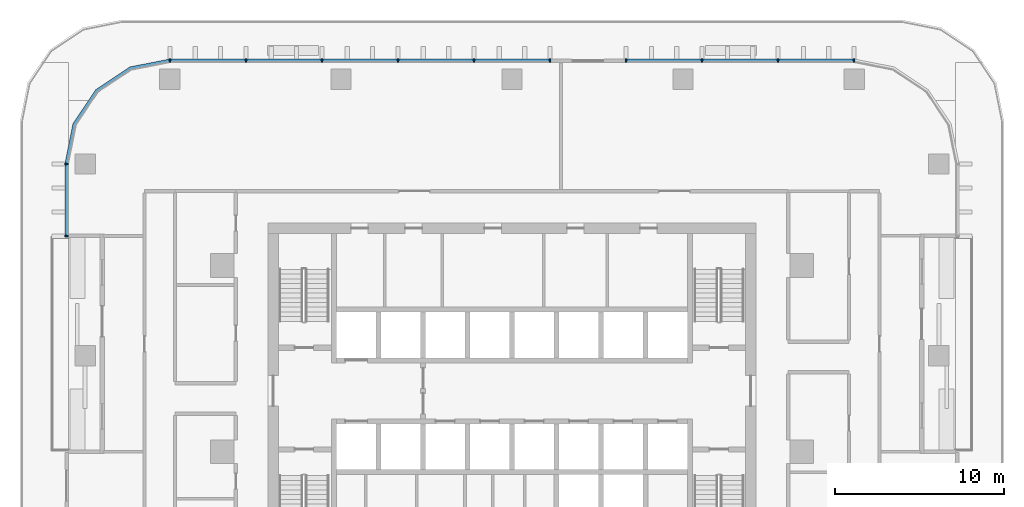
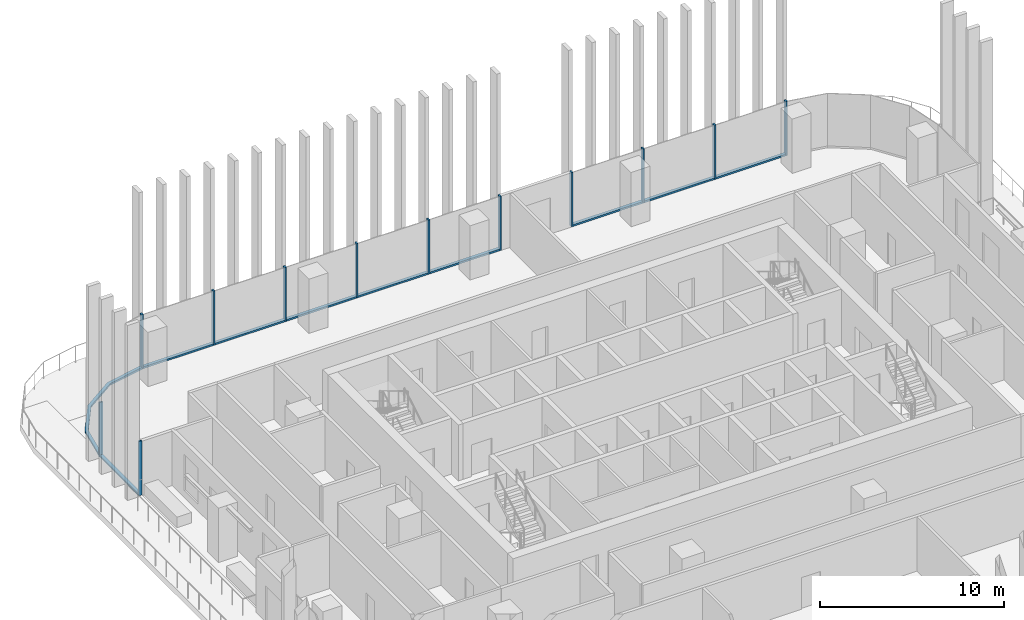
# One storey, part 4 of 16: 22 members, 4 elements without a shape of their own.
"""IFC4 building model written with IfcOpenShell, lengths in metres."""

from ifc_helpers import new_model, si_unit, direction, frame, origin, origin_2d, place, context, subcontext, project, spatial, polyline, rectangle, outline, extrude, material, material_profile, profile_set, type_object, element, aggregate, save


model = new_model("IFC4")

# Units and contexts
model_context = context("Model", 3, precision=1e-05, world=origin(), true_north=direction((0.0, 1.0)))
body_context = subcontext(model_context, "Body", "Model", "MODEL_VIEW")
ifc_project = project(units=[si_unit("LENGTHUNIT", "METRE"), si_unit("AREAUNIT", "SQUARE_METRE"), si_unit("VOLUMEUNIT", "CUBIC_METRE"), si_unit("PLANEANGLEUNIT", "RADIAN"), si_unit("MASSUNIT", "GRAM", prefix="KILO")], contexts=[model_context])

# Site, building, storey
site_placement = place(None, origin())
site = spatial("IfcSite", under=ifc_project, at=site_placement, CompositionType="ELEMENT")
building_placement = place(site_placement, origin())
building = spatial("IfcBuilding", under=site, at=building_placement, Name="Mopane Tessera Tower", CompositionType="ELEMENT")
storey_placement = place(building_placement, frame((0.0, 0.0, 157.0)))
storey = spatial("IfcBuildingStorey", under=building, at=storey_placement, Name="L31", CompositionType="ELEMENT", Elevation=157.0)

# Curtain wall, members
ifc_material_1 = material(Name="Aluminium frame", Category="aluminium")
curtain_wall_type = type_object("IfcCurtainWallType", Name="Unitised curtain wall", PredefinedType="NOTDEFINED", material=ifc_material_1)
curtain_wall_1_placement = place(storey_placement, origin())
curtain_wall_1 = element("IfcCurtainWall", 1, at=curtain_wall_1_placement, inside=storey, type_object=curtain_wall_type, Name="e:cw:L31:N:0", PredefinedType="NOTDEFINED")
ifc_material_2 = material(Name="Aluminium frame", Category="aluminium")
ifc_material_profile_1 = material_profile(ifc_material_2, rectangle(XDim=0.10009765625, YDim=0.199951171875, at=origin_2d()))
ifc_profile_set_1 = profile_set([ifc_material_profile_1], Name="Aluminium frame")
member_type_1 = type_object("IfcMemberType", Name="Aluminium mullion 100 x 200", PredefinedType="MULLION", material=ifc_profile_set_1)
member_1_placement = place(storey_placement, frame((20.199951171875, 23.10009765625, 0.0), z_axis=(0.0, 0.0, 1.0), x_axis=(-1.0, 0.0, 0.0)))
member_1 = element("IfcMember", 2, at=member_1_placement, type_object=member_type_1, Name="e:cw:L31:N:0:mu0", PredefinedType="MULLION", context=body_context, shape_type="SweptSolid", body=[
    extrude(rectangle(XDim=0.10009765625, YDim=0.199951171875, at=origin_2d()), origin(), (0.0, 0.0, 1.0), 3.60009765625),
])
member_2_placement = place(storey_placement, frame((15.711181640625, 23.10009765625, 0.0), z_axis=(0.0, 0.0, 1.0), x_axis=(-1.0, 0.0, 0.0)))
member_2 = element("IfcMember", 3, at=member_2_placement, type_object=member_type_1, Name="e:cw:L31:N:0:mu1", PredefinedType="MULLION", context=body_context, shape_type="SweptSolid", body=[
    extrude(rectangle(XDim=0.10009765625, YDim=0.199951171875, at=origin_2d()), origin(), (0.0, 0.0, 1.0), 3.60009765625),
])
member_3_placement = place(storey_placement, frame((11.22216796875, 23.10009765625, 0.0), z_axis=(0.0, 0.0, 1.0), x_axis=(-1.0, 0.0, 0.0)))
member_3 = element("IfcMember", 4, at=member_3_placement, type_object=member_type_1, Name="e:cw:L31:N:0:mu2", PredefinedType="MULLION", context=body_context, shape_type="SweptSolid", body=[
    extrude(rectangle(XDim=0.10009765625, YDim=0.199951171875, at=origin_2d()), origin(), (0.0, 0.0, 1.0), 3.60009765625),
])
member_4_placement = place(storey_placement, frame((6.7333984375, 23.10009765625, 0.0), z_axis=(0.0, 0.0, 1.0), x_axis=(-1.0, 0.0, 0.0)))
member_4 = element("IfcMember", 5, at=member_4_placement, type_object=member_type_1, Name="e:cw:L31:N:0:mu3", PredefinedType="MULLION", context=body_context, shape_type="SweptSolid", body=[
    extrude(rectangle(XDim=0.10009765625, YDim=0.199951171875, at=origin_2d()), origin(), (0.0, 0.0, 1.0), 3.60009765625),
])

curtain_wall_2_placement = place(storey_placement, origin())
curtain_wall_2 = element("IfcCurtainWall", 6, at=curtain_wall_2_placement, inside=storey, type_object=curtain_wall_type, Name="e:cw:L31:N:4", PredefinedType="NOTDEFINED")
member_5_placement = place(storey_placement, frame((2.244384765625, 23.10009765625, 0.0), z_axis=(0.0, 0.0, 1.0), x_axis=(-1.0, 0.0, 0.0)))
member_5 = element("IfcMember", 7, at=member_5_placement, type_object=member_type_1, Name="e:cw:L31:N:4:mu4", PredefinedType="MULLION", context=body_context, shape_type="SweptSolid", body=[
    extrude(rectangle(XDim=0.10009765625, YDim=0.199951171875, at=origin_2d()), origin(), (0.0, 0.0, 1.0), 3.60009765625),
])
member_6_placement = place(storey_placement, frame((-2.244384765625, 23.10009765625, 0.0), z_axis=(0.0, 0.0, 1.0), x_axis=(-1.0, 0.0, 0.0)))
member_6 = element("IfcMember", 8, at=member_6_placement, type_object=member_type_1, Name="e:cw:L31:N:4:mu5", PredefinedType="MULLION", context=body_context, shape_type="SweptSolid", body=[
    extrude(rectangle(XDim=0.10009765625, YDim=0.199951171875, at=origin_2d()), origin(), (0.0, 0.0, 1.0), 3.60009765625),
])
member_7_placement = place(storey_placement, frame((-6.7333984375, 23.10009765625, 0.0), z_axis=(0.0, 0.0, 1.0), x_axis=(-1.0, 0.0, 0.0)))
member_7 = element("IfcMember", 9, at=member_7_placement, type_object=member_type_1, Name="e:cw:L31:N:4:mu6", PredefinedType="MULLION", context=body_context, shape_type="SweptSolid", body=[
    extrude(rectangle(XDim=0.10009765625, YDim=0.199951171875, at=origin_2d()), origin(), (0.0, 0.0, 1.0), 3.60009765625),
])
member_8_placement = place(storey_placement, frame((-11.22216796875, 23.10009765625, 0.0), z_axis=(0.0, 0.0, 1.0), x_axis=(-1.0, 0.0, 0.0)))
member_8 = element("IfcMember", 10, at=member_8_placement, type_object=member_type_1, Name="e:cw:L31:N:4:mu7", PredefinedType="MULLION", context=body_context, shape_type="SweptSolid", body=[
    extrude(rectangle(XDim=0.10009765625, YDim=0.199951171875, at=origin_2d()), origin(), (0.0, 0.0, 1.0), 3.60009765625),
])
member_9_placement = place(storey_placement, frame((-15.711181640625, 23.10009765625, 0.0), z_axis=(0.0, 0.0, 1.0), x_axis=(-1.0, 0.0, 0.0)))
member_9 = element("IfcMember", 11, at=member_9_placement, type_object=member_type_1, Name="e:cw:L31:N:4:mu8", PredefinedType="MULLION", context=body_context, shape_type="SweptSolid", body=[
    extrude(rectangle(XDim=0.10009765625, YDim=0.199951171875, at=origin_2d()), origin(), (0.0, 0.0, 1.0), 3.60009765625),
])
member_10_placement = place(storey_placement, frame((-20.199951171875, 23.10009765625, 0.0), z_axis=(0.0, 0.0, 1.0), x_axis=(-1.0, 0.0, 0.0)))
member_10 = element("IfcMember", 12, at=member_10_placement, type_object=member_type_1, Name="e:cw:L31:N:4:mu9", PredefinedType="MULLION", context=body_context, shape_type="SweptSolid", body=[
    extrude(rectangle(XDim=0.10009765625, YDim=0.199951171875, at=origin_2d()), origin(), (0.0, 0.0, 1.0), 3.60009765625),
])

curtain_wall_3_placement = place(storey_placement, origin())
curtain_wall_3 = element("IfcCurtainWall", 13, at=curtain_wall_3_placement, inside=storey, type_object=curtain_wall_type, Name="e:cw:L31:W:0", PredefinedType="NOTDEFINED")
member_11_placement = place(storey_placement, frame((-26.300048828125, 17.0, 0.0), z_axis=(0.0, 0.0, 1.0), x_axis=(0.0, -1.0, 0.0)))
member_11 = element("IfcMember", 14, at=member_11_placement, type_object=member_type_1, Name="e:cw:L31:W:0:mu0", PredefinedType="MULLION", context=body_context, shape_type="SweptSolid", body=[
    extrude(rectangle(XDim=0.10009765625, YDim=0.199951171875, at=origin_2d()), origin(), (0.0, 0.0, 1.0), 3.60009765625),
])
member_12_placement = place(storey_placement, frame((-26.300048828125, 12.75, 0.0), z_axis=(0.0, 0.0, 1.0), x_axis=(0.0, -1.0, 0.0)))
member_12 = element("IfcMember", 15, at=member_12_placement, type_object=member_type_1, Name="e:cw:L31:W:0:mu1", PredefinedType="MULLION", context=body_context, shape_type="SweptSolid", body=[
    extrude(rectangle(XDim=0.10009765625, YDim=0.199951171875, at=origin_2d()), origin(), (0.0, 0.0, 1.0), 3.60009765625),
])

# Member
ifc_material_3 = material(Name="Aluminium frame", Category="aluminium")
ifc_material_profile_2 = material_profile(ifc_material_3, rectangle(XDim=0.199951171875, YDim=0.1201171875, at=origin_2d()))
ifc_profile_set_2 = profile_set([ifc_material_profile_2], Name="Aluminium frame")
member_type_2 = type_object("IfcMemberType", Name="Aluminium transom 200 x 120", PredefinedType="USERDEFINED", material=ifc_profile_set_2)
member_13_placement = place(storey_placement, frame((20.14990234375, 23.10009765625, 0.06005859375), z_axis=(-1.0, 0.0, 0.0), x_axis=(0.0, -1.0, 0.0)))
member_13 = element("IfcMember", 16, at=member_13_placement, type_object=member_type_2, Name="e:cw:L31:N:0:tr0", ObjectType="TRANSOM", PredefinedType="USERDEFINED", context=body_context, shape_type="SweptSolid", body=[
    extrude(rectangle(XDim=0.199951171875, YDim=0.1201171875, at=origin_2d()), origin(), (0.0, 0.0, 1.0), 4.388671875),
])

member_14_placement = place(storey_placement, frame((15.6611328125, 23.10009765625, 0.06005859375), z_axis=(-1.0, 0.0, 0.0), x_axis=(0.0, -1.0, 0.0)))
member_14 = element("IfcMember", 17, at=member_14_placement, type_object=member_type_2, Name="e:cw:L31:N:0:tr1", ObjectType="TRANSOM", PredefinedType="USERDEFINED", context=body_context, shape_type="SweptSolid", body=[
    extrude(rectangle(XDim=0.199951171875, YDim=0.1201171875, at=origin_2d()), origin(), (0.0, 0.0, 1.0), 4.388916015625),
])

member_15_placement = place(storey_placement, frame((11.172119140625, 23.10009765625, 0.06005859375), z_axis=(-1.0, 0.0, 0.0), x_axis=(0.0, -1.0, 0.0)))
member_15 = element("IfcMember", 18, at=member_15_placement, type_object=member_type_2, Name="e:cw:L31:N:0:tr2", ObjectType="TRANSOM", PredefinedType="USERDEFINED", context=body_context, shape_type="SweptSolid", body=[
    extrude(rectangle(XDim=0.199951171875, YDim=0.1201171875, at=origin_2d()), origin(), (0.0, 0.0, 1.0), 4.388671875),
])

aggregate(curtain_wall_1, [member_1, member_2, member_3, member_4, member_13, member_14, member_15])

member_16_placement = place(storey_placement, frame((2.1943359375, 23.10009765625, 0.06005859375), z_axis=(-1.0, 0.0, 0.0), x_axis=(0.0, -1.0, 0.0)))
member_16 = element("IfcMember", 19, at=member_16_placement, type_object=member_type_2, Name="e:cw:L31:N:4:tr4", ObjectType="TRANSOM", PredefinedType="USERDEFINED", context=body_context, shape_type="SweptSolid", body=[
    extrude(rectangle(XDim=0.199951171875, YDim=0.1201171875, at=origin_2d()), origin(), (0.0, 0.0, 1.0), 4.388671875),
])

member_17_placement = place(storey_placement, frame((-2.29443359375, 23.10009765625, 0.06005859375), z_axis=(-1.0, 0.0, 0.0), x_axis=(0.0, -1.0, 0.0)))
member_17 = element("IfcMember", 20, at=member_17_placement, type_object=member_type_2, Name="e:cw:L31:N:4:tr5", ObjectType="TRANSOM", PredefinedType="USERDEFINED", context=body_context, shape_type="SweptSolid", body=[
    extrude(rectangle(XDim=0.199951171875, YDim=0.1201171875, at=origin_2d()), origin(), (0.0, 0.0, 1.0), 4.388916015625),
])

member_18_placement = place(storey_placement, frame((-6.783447265625, 23.10009765625, 0.06005859375), z_axis=(-1.0, 0.0, 0.0), x_axis=(0.0, -1.0, 0.0)))
member_18 = element("IfcMember", 21, at=member_18_placement, type_object=member_type_2, Name="e:cw:L31:N:4:tr6", ObjectType="TRANSOM", PredefinedType="USERDEFINED", context=body_context, shape_type="SweptSolid", body=[
    extrude(rectangle(XDim=0.199951171875, YDim=0.1201171875, at=origin_2d()), origin(), (0.0, 0.0, 1.0), 4.388671875),
])

member_19_placement = place(storey_placement, frame((-11.272216796875, 23.10009765625, 0.06005859375), z_axis=(-1.0, 0.0, 0.0), x_axis=(0.0, -1.0, 0.0)))
member_19 = element("IfcMember", 22, at=member_19_placement, type_object=member_type_2, Name="e:cw:L31:N:4:tr7", ObjectType="TRANSOM", PredefinedType="USERDEFINED", context=body_context, shape_type="SweptSolid", body=[
    extrude(rectangle(XDim=0.199951171875, YDim=0.1201171875, at=origin_2d()), origin(), (0.0, 0.0, 1.0), 4.388916015625),
])

member_20_placement = place(storey_placement, frame((-15.76123046875, 23.10009765625, 0.06005859375), z_axis=(-1.0, 0.0, 0.0), x_axis=(0.0, -1.0, 0.0)))
member_20 = element("IfcMember", 23, at=member_20_placement, type_object=member_type_2, Name="e:cw:L31:N:4:tr8", ObjectType="TRANSOM", PredefinedType="USERDEFINED", context=body_context, shape_type="SweptSolid", body=[
    extrude(rectangle(XDim=0.199951171875, YDim=0.1201171875, at=origin_2d()), origin(), (0.0, 0.0, 1.0), 4.388671875),
])

aggregate(curtain_wall_2, [member_5, member_6, member_7, member_8, member_9, member_10, member_16, member_17, member_18, member_19, member_20])

# Curtain wall, member
curtain_wall_4_placement = place(storey_placement, origin())
curtain_wall_4 = element("IfcCurtainWall", 24, at=curtain_wall_4_placement, inside=storey, type_object=curtain_wall_type, Name="e:cw:L31:CN", PredefinedType="NOTDEFINED")
member_21_placement = place(storey_placement, origin())
member_21 = element("IfcMember", 25, at=member_21_placement, type_object=member_type_2, Name="e:cw:L31:CN:tr", ObjectType="TRANSOM", PredefinedType="USERDEFINED", context=body_context, shape_type="SweptSolid", body=[
    extrude(outline(polyline([(-20.199951171875, 23.0), (-22.49609375, 22.543212890625), (-24.442626953125, 21.24267578125), (-25.7431640625, 19.296142578125), (-26.199951171875, 17.0), (-26.39990234375, 17.0), (-25.927978515625, 19.37255859375), (-24.583984375, 21.384033203125), (-22.57275390625, 22.72802734375), (-20.199951171875, 23.199951171875), (-20.199951171875, 23.0)])), origin(), (0.0, 0.0, 1.0), 0.1201171875),
])
aggregate(curtain_wall_4, [member_21])

# Member
member_22_placement = place(storey_placement, frame((-26.300048828125, 16.949951171875, 0.06005859375), z_axis=(0.0, -1.0, 0.0), x_axis=(1.0, 0.0, 0.0)))
member_22 = element("IfcMember", 26, at=member_22_placement, type_object=member_type_2, Name="e:cw:L31:W:0:tr0", ObjectType="TRANSOM", PredefinedType="USERDEFINED", context=body_context, shape_type="SweptSolid", body=[
    extrude(rectangle(XDim=0.199951171875, YDim=0.1201171875, at=origin_2d()), origin(), (0.0, 0.0, 1.0), 4.14990234375),
])

aggregate(curtain_wall_3, [member_11, member_12, member_22])

save(model, "model.ifc")
